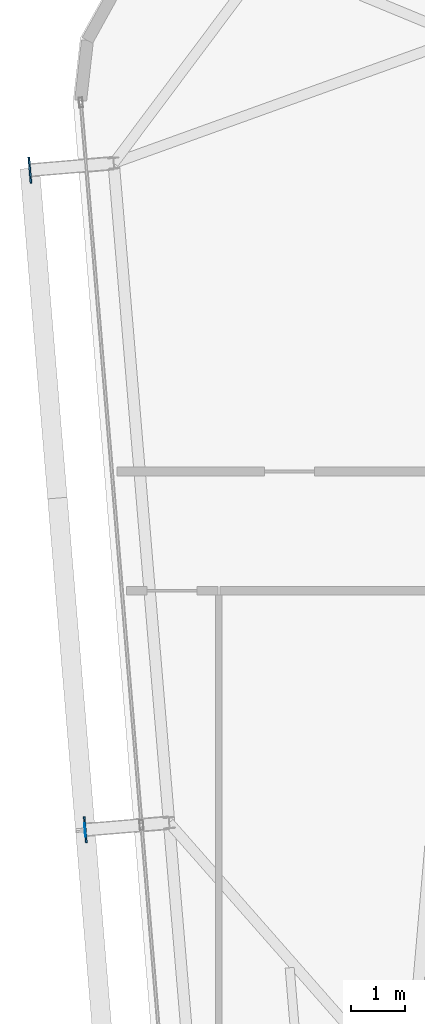
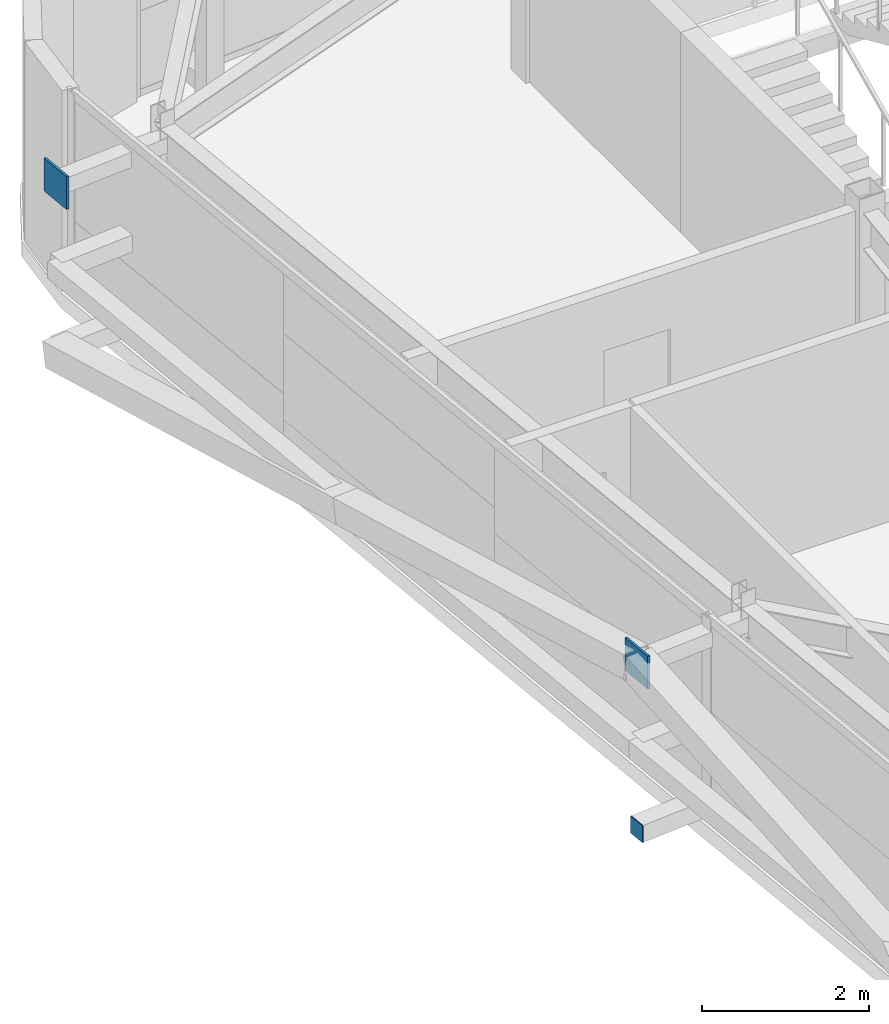
# One storey, part 29 of 37: 3 plates.
"""IFC4 building model written with IfcOpenShell, lengths in metres."""

import ifcopenshell
import ifcopenshell.guid

model = None  # the IFC model being written
_history = None  # IfcOwnerHistory: only IFC2X3 demands one
_inside = {}  # id of a spatial element -> (the spatial element, [elements in it])
_under = {}  # id of a project, library or spatial element -> (it, [spatial elements below it])
_declared = {}  # id of a project -> (the project, [libraries it declares])
_typed = {}  # id of a type object -> (the type object, [elements of that type])
_made_of = {}  # id of a material, layer set ... -> (it, [elements and type objects made of it])


def new_model(schema):
    """Start an empty IFC model of exactly this schema.

    Asked for "IFC4X3", IfcOpenShell would pick the latest addendum, in which some entities
    have other attributes; the version numbers below select the first issue.
    IFC2X3 requires an IfcOwnerHistory on every rooted entity: one is made here for all.
    """
    global model, _history
    if schema == "IFC4X3":
        model = ifcopenshell.file(schema_version=(4, 3, 0, 0))
    else:
        model = ifcopenshell.file(schema=schema)
    _inside.clear()
    _under.clear()
    _declared.clear()
    _typed.clear()
    _made_of.clear()
    _history = None
    if model.schema == "IFC2X3":
        org = make("IfcOrganization", Name="unknown")
        user = make(
            "IfcPersonAndOrganization",
            ThePerson=make("IfcPerson", FamilyName="unknown"),
            TheOrganization=org,
        )
        app = make(
            "IfcApplication",
            ApplicationDeveloper=org,
            Version="unknown",
            ApplicationFullName="unknown",
            ApplicationIdentifier="unknown",
        )
        _history = make(
            "IfcOwnerHistory",
            OwningUser=user,
            OwningApplication=app,
            ChangeAction="ADDED",
            CreationDate=0,
        )
    return model


def make(cls, **values):
    """One entity of the class cls with the attributes given. An attribute that is None is left unset."""
    return model.create_entity(
        cls, **{name: value for name, value in values.items() if value is not None}
    )


def rooted(cls, **values):
    """An entity with a GlobalId (a new one), such as an element, a storey or a relation."""
    return make(cls, GlobalId=ifcopenshell.guid.new(), OwnerHistory=_history, **values)


def si_unit(unit_type, name, prefix=None):
    """IfcSIUnit, for example si_unit("LENGTHUNIT", "METRE", prefix="MILLI")."""
    return make("IfcSIUnit", UnitType=unit_type, Prefix=prefix, Name=name)


def assignment(units):
    """IfcUnitAssignment: the units of a project."""
    return None if units is None else make("IfcUnitAssignment", Units=units)


def point(xyz):
    """IfcCartesianPoint."""
    return None if xyz is None else make("IfcCartesianPoint", Coordinates=xyz)


def direction(xyz):
    """IfcDirection."""
    return None if xyz is None else make("IfcDirection", DirectionRatios=xyz)


def frame(location, z_axis=None, x_axis=None):
    """IfcAxis2Placement3D, a coordinate frame: its origin and axes. An axis left out is left unset."""
    return make(
        "IfcAxis2Placement3D",
        Location=point(location),
        Axis=direction(z_axis),
        RefDirection=direction(x_axis),
    )


def frame_2d(location, x_axis=None):
    """IfcAxis2Placement2D, a coordinate frame in the plane: its origin and x axis."""
    return make(
        "IfcAxis2Placement2D", Location=point(location), RefDirection=direction(x_axis)
    )


def origin():
    """The frame at (0, 0, 0) with its axes left unset."""
    return frame((0.0, 0.0, 0.0))


def origin_2d():
    """The frame at (0, 0) in the plane with its x axis left unset."""
    return frame_2d((0.0, 0.0))


def place(relative_to, where):
    """IfcLocalPlacement: puts the frame where relative to a parent placement (None: the world)."""
    return make(
        "IfcLocalPlacement", PlacementRelTo=relative_to, RelativePlacement=where
    )


def context(
    kind, dimensions, precision=None, world=None, true_north=None, identifier=None
):
    """IfcGeometricRepresentationContext, for example the 3D "Model" context."""
    return make(
        "IfcGeometricRepresentationContext",
        ContextIdentifier=identifier,
        ContextType=kind,
        CoordinateSpaceDimension=dimensions,
        Precision=precision,
        WorldCoordinateSystem=world,
        TrueNorth=true_north,
    )


def subcontext(parent, identifier, kind, view, scale=None):
    """IfcGeometricRepresentationSubContext, for example "Body" below "Model"."""
    return make(
        "IfcGeometricRepresentationSubContext",
        ContextIdentifier=identifier,
        ContextType=kind,
        ParentContext=parent,
        TargetScale=scale,
        TargetView=view,
    )


def project(units=None, contexts=None):
    """IfcProject with its units and contexts."""
    return rooted(
        "IfcProject",
        Name="project",
        RepresentationContexts=contexts,
        UnitsInContext=assignment(units),
    )


def spatial(cls, under=None, at=None, **own):
    """A site, building, storey or space (cls), placed at a placement, below another one or the project."""
    s = rooted(cls, ObjectPlacement=at, **own)
    if under is not None:
        _under.setdefault(under.id(), (under, []))[1].append(s)
    return s


def profile(cls, at=None, kind="AREA", **sizes):
    """A parametric profile (cls). Its sizes go by their IFC names, for example OverallWidth=200.0."""
    return make(cls, ProfileType=kind, Position=at, **sizes)


def rectangle(**sizes):
    """IfcRectangleProfileDef."""
    return profile("IfcRectangleProfileDef", **sizes)


def extrude(swept, where, along, depth):
    """IfcExtrudedAreaSolid: the profile swept, set in the frame where, extruded along a direction by depth."""
    return make(
        "IfcExtrudedAreaSolid",
        SweptArea=swept,
        Position=where,
        ExtrudedDirection=direction(along),
        Depth=depth,
    )


def shape(context_of_items, identifier, shape_type, items):
    """IfcShapeRepresentation: the items that make up one representation, for example the "Body"."""
    return make(
        "IfcShapeRepresentation",
        ContextOfItems=context_of_items,
        RepresentationIdentifier=identifier,
        RepresentationType=shape_type,
        Items=items,
    )


def source(mapping_origin, context_of_items, identifier, shape_type, items):
    """IfcRepresentationMap: a shape defined once, which mapped items show again and again."""
    return make(
        "IfcRepresentationMap",
        MappingOrigin=mapping_origin,
        MappedRepresentation=shape(context_of_items, identifier, shape_type, items),
    )


def transform(
    local_origin,
    x_axis=None,
    y_axis=None,
    z_axis=None,
    scale=None,
    scale2=None,
    scale3=None,
    uniform=True,
):
    """IfcCartesianTransformationOperator3D, or its non-uniform kind. x_axis, y_axis, z_axis: its Axis1, 2, 3."""
    if uniform:
        return make(
            "IfcCartesianTransformationOperator3D",
            Axis1=direction(x_axis),
            Axis2=direction(y_axis),
            LocalOrigin=point(local_origin),
            Scale=scale,
            Axis3=direction(z_axis),
        )
    return make(
        "IfcCartesianTransformationOperator3DnonUniform",
        Axis1=direction(x_axis),
        Axis2=direction(y_axis),
        LocalOrigin=point(local_origin),
        Scale=scale,
        Axis3=direction(z_axis),
        Scale2=scale2,
        Scale3=scale3,
    )


def mapped(mapping_source, mapping_target):
    """IfcMappedItem: shows the shape of a source again, moved by a transform."""
    return make(
        "IfcMappedItem", MappingSource=mapping_source, MappingTarget=mapping_target
    )


def material(Name=None, Category=None):
    """IfcMaterial."""
    return make("IfcMaterial", Name=Name, Category=Category)


def layer(
    of_material, thickness, ventilated=None, Name=None, Category=None, Priority=None
):
    """IfcMaterialLayer: one layer of a wall or slab, of a material (None: an air gap)."""
    return make(
        "IfcMaterialLayer",
        Material=of_material,
        LayerThickness=thickness,
        IsVentilated=ventilated,
        Name=Name,
        Category=Category,
        Priority=Priority,
    )


def layer_set(layers, Name=None):
    """IfcMaterialLayerSet."""
    return make("IfcMaterialLayerSet", MaterialLayers=layers, LayerSetName=Name)


def made_of(thing, what):
    """Note that an element or type object is made of a material, layer set ...; save() writes the relation."""
    if what is not None:
        _made_of.setdefault(what.id(), (what, []))[1].append(thing)
    return thing


def type_object(cls, material=None, **own):
    """A type object (cls), such as IfcWallType, which elements share."""
    return made_of(rooted(cls, **own), material)


def element(
    cls,
    number,
    at=None,
    inside=None,
    cuts=None,
    type_object=None,
    material=None,
    context=None,
    identifier="Body",
    shape_type=None,
    held_by="IfcProductDefinitionShape",
    body=None,
    shapes=None,
    **own,
):
    """One element of the class cls, such as IfcWall. Its Tag is "e" and its number.

    at: its placement. inside: the storey or other place that contains it. cuts: it is an
    opening in that element (IfcRelVoidsElement). A single representation is given by context,
    identifier, shape_type and body (its items); several are given by shapes. held_by: the class
    of the entity that holds the representations. save() writes the other relations.
    """
    e = rooted(cls, Tag="e%d" % number, ObjectPlacement=at, **own)
    if body is not None:
        shapes = [shape(context, identifier, shape_type, body)]
    if shapes is not None:
        e.Representation = make(held_by, Representations=shapes)
    if inside is not None:
        _inside.setdefault(inside.id(), (inside, []))[1].append(e)
    if cuts is not None:
        rooted(
            "IfcRelVoidsElement", RelatingBuildingElement=cuts, RelatedOpeningElement=e
        )
    if type_object is not None:
        _typed.setdefault(type_object.id(), (type_object, []))[1].append(e)
    return made_of(e, material)


def aggregate(whole, parts):
    """IfcRelAggregates: a whole, such as a stair, and the parts it consists of."""
    return rooted("IfcRelAggregates", RelatingObject=whole, RelatedObjects=parts)


def save(model, path):
    """Write the relations noted so far, then the file.

    IfcRelAggregates (storeys below a building ...), IfcRelContainedInSpatialStructure (elements
    in a storey), IfcRelDefinesByType, IfcRelAssociatesMaterial and IfcRelDeclares: one each for
    every whole, place, type object, material and project.
    """
    for whole, parts in _under.values():
        aggregate(whole, parts)
    for where, things in _inside.values():
        rooted(
            "IfcRelContainedInSpatialStructure",
            RelatedElements=things,
            RelatingStructure=where,
        )
    for kind, things in _typed.values():
        rooted("IfcRelDefinesByType", RelatedObjects=things, RelatingType=kind)
    for what, things in _made_of.values():
        rooted("IfcRelAssociatesMaterial", RelatedObjects=things, RelatingMaterial=what)
    for by, libraries in _declared.values():
        rooted("IfcRelDeclares", RelatingContext=by, RelatedDefinitions=libraries)
    model.write(path)


model = new_model("IFC4")

# Units and contexts
model_context = context("Model", 3, precision=1e-05, world=origin(), true_north=direction((0.0, 1.0)))
body_context = subcontext(model_context, "Body", "Model", "MODEL_VIEW")
ifc_project = project(units=[si_unit("LENGTHUNIT", "METRE"), si_unit("AREAUNIT", "SQUARE_METRE"), si_unit("VOLUMEUNIT", "CUBIC_METRE"), si_unit("PLANEANGLEUNIT", "RADIAN"), si_unit("MASSUNIT", "GRAM", prefix="KILO")], contexts=[model_context])

# Site, building, storey
site_placement = place(None, origin())
site = spatial("IfcSite", under=ifc_project, at=site_placement, CompositionType="ELEMENT")
building_placement = place(site_placement, origin())
building = spatial("IfcBuilding", under=site, at=building_placement, Name="Taldren Reach Tower", CompositionType="ELEMENT")
storey_placement = place(building_placement, frame((0.0, 0.0, 172.550048828125)))
storey = spatial("IfcBuildingStorey", under=building, at=storey_placement, Name="L52", CompositionType="ELEMENT", Elevation=172.550048828125)

# Plates
ifc_material_1 = material(Name="Steel Gr 350 (C350L0)", Category="steel")
ifc_layer_1 = layer(ifc_material_1, 0.011962890625)
ifc_layer_set_1 = layer_set([ifc_layer_1], Name="Steel Gr 350 (C350L0)")
plate_type_1 = type_object("IfcPlateType", Name="PL-CAP-250", PredefinedType="SHEET", material=ifc_layer_set_1)
shared_shape_1 = source(origin(), body_context, "Body", "SweptSolid", [
    extrude(rectangle(XDim=0.011962890625, YDim=0.25, at=origin_2d()), origin(), (0.0, 0.0, 1.0), 0.25),
])
plate_placement = place(storey_placement, frame((12.0322265625, 17.39501953125, 0.094970703125), z_axis=(0.0, 0.0, 1.0), x_axis=(0.99649285925, 0.083677843332, 0.0)))
element("IfcPlate", 1, at=plate_placement, inside=storey, type_object=plate_type_1, Name="Tie strut end cap plate B4-W2 L52", PredefinedType="SHEET", context=body_context, shape_type="MappedRepresentation", body=[
    mapped(shared_shape_1, transform((0.0, 0.0, 0.0), scale=1.0)),
])
ifc_material_2 = material(Name="Steel Gr 450 (C450L0)", Category="steel")
ifc_layer_2 = layer(ifc_material_2, 0.031982421875)
ifc_layer_set_2 = layer_set([ifc_layer_2], Name="Steel Gr 450 (C450L0)")
plate_type_2 = type_object("IfcPlateType", Name="PL-GUSSET-32", PredefinedType="SHEET", material=ifc_layer_set_2)
shared_shape_2 = source(origin(), body_context, "Body", "SweptSolid", [
    extrude(rectangle(XDim=0.47998046875, YDim=0.031982421875, at=origin_2d()), origin(), (0.0, 0.0, 1.0), 0.47998046875),
])
for number, where, z_axis, x_axis, name in (
    (2, (12.0380859375, 17.3955078125, 2.409912109375), (0.0, 0.0, 1.0), (-0.083677843332, 0.99649285925, 0.0), "Exoskeleton star-node gusset plate B4-W2 L52"),
    (3, (11.017333984375, 29.552734375, 2.409912109375), (0.0, 0.0, 1.0), (-0.083677843332, 0.99649285925, 0.0), "Exoskeleton star-node gusset plate B4-W3 L52"),
):
    element("IfcPlate", number, at=place(storey_placement, frame(where, z_axis=z_axis, x_axis=x_axis)), inside=storey, type_object=plate_type_2, Name=name, PredefinedType="SHEET", context=body_context, shape_type="MappedRepresentation", body=[
        mapped(shared_shape_2, transform((0.0, 0.0, 0.0), scale=1.0)),
    ])

save(model, "model.ifc")
